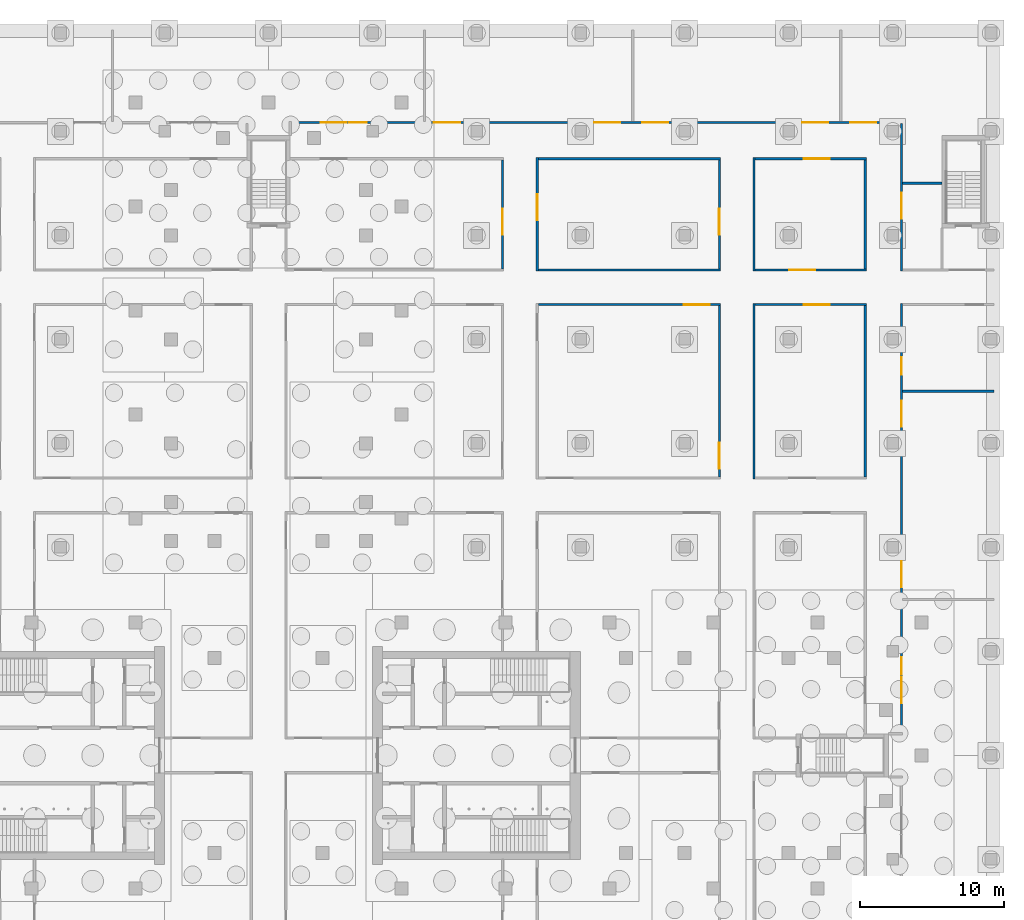
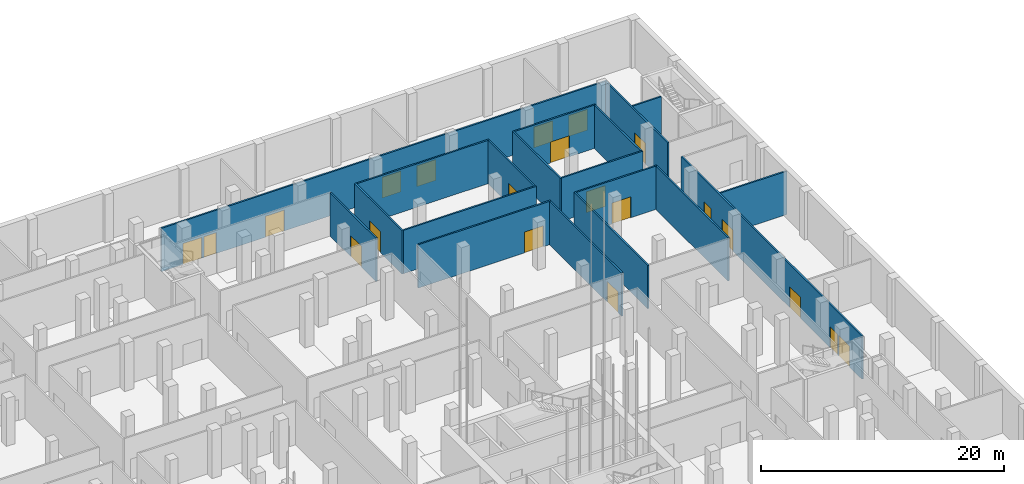
# One storey, part 20 of 54: 21 doors, 19 walls, 21 openings.
"""IFC4 building model written with IfcOpenShell, lengths in metres."""

from ifc_helpers import new_model, si_unit, direction, frame, frame_2d, origin, place, context, subcontext, project, spatial, rectangle, extrude, material, layer, layer_set, type_object, element, fill, save


model = new_model("IFC4")

# Units and contexts
model_context = context("Model", 3, precision=1e-05, world=origin(), true_north=direction((0.0, 1.0)))
body_context = subcontext(model_context, "Body", "Model", "MODEL_VIEW")
ifc_project = project(units=[si_unit("LENGTHUNIT", "METRE"), si_unit("AREAUNIT", "SQUARE_METRE"), si_unit("VOLUMEUNIT", "CUBIC_METRE"), si_unit("PLANEANGLEUNIT", "RADIAN"), si_unit("MASSUNIT", "GRAM", prefix="KILO")], contexts=[model_context])

# Site, building, storey
site_placement = place(None, origin())
site = spatial("IfcSite", under=ifc_project, at=site_placement, CompositionType="ELEMENT")
building_placement = place(site_placement, origin())
building = spatial("IfcBuilding", under=site, at=building_placement, Name="Fustian Cross Tower", CompositionType="ELEMENT")
storey_placement = place(building_placement, frame((0.0, 0.0, -4.800048828125)))
storey = spatial("IfcBuildingStorey", under=building, at=storey_placement, Name="B1", CompositionType="ELEMENT", Elevation=-4.800048828125)

# Wall, openings, doors
ifc_material_1 = material(Name="Plasterboard on steel stud", Category="steel")
ifc_layer = layer(ifc_material_1, 0.14990234375)
ifc_layer_set = layer_set([ifc_layer], Name="Plasterboard on steel stud")
wall_type = type_object("IfcWallType", Name="COMPARTMENT WALL 150 EI 60", PredefinedType="PARTITIONING", material=ifc_layer_set)
wall_1_placement = place(storey_placement, frame((1.574951171875, 43.800048828125, 0.0), z_axis=(0.0, 0.0, 1.0), x_axis=(1.0, 0.0, 0.0)))
wall_1 = element("IfcWall", 1, at=wall_1_placement, inside=storey, type_object=wall_type, Name="Partition 121", PredefinedType="PARTITIONING", context=body_context, shape_type="SweptSolid", body=[
    extrude(rectangle(XDim=42.300048828125, YDim=0.14990234375, at=frame_2d((21.14990234375, 0.0))), origin(), (0.0, 0.0, 1.0), 4.35009765625),
])
opening_1_placement = place(wall_1_placement, frame((2.02490234375, 0.0, 0.0)))
opening_1 = element("IfcOpeningElement", 2, at=opening_1_placement, cuts=wall_1, Name="Opening D01118", PredefinedType="OPENING", context=body_context, shape_type="SweptSolid", body=[
    extrude(rectangle(XDim=1.800048828125, YDim=2.10009765625, at=frame_2d((0.89990234375, 1.050048828125))), frame((0.0, 0.0849609375, 0.0), z_axis=(0.0, -1.0, 0.0), x_axis=(1.0, 0.0, 0.0)), (0.0, 0.0, 1.0), 0.169921875),
])
opening_2_placement = place(wall_1_placement, frame((4.02490234375, 0.0, 0.0)))
opening_2 = element("IfcOpeningElement", 3, at=opening_2_placement, cuts=wall_1, Name="Opening D01119", PredefinedType="OPENING", context=body_context, shape_type="SweptSolid", body=[
    extrude(rectangle(XDim=1.199951171875, YDim=2.10009765625, at=frame_2d((0.60009765625, 1.050048828125))), frame((0.0, 0.0849609375, 0.0), z_axis=(0.0, -1.0, 0.0), x_axis=(1.0, 0.0, 0.0)), (0.0, 0.0, 1.0), 0.169921875),
])
opening_3_placement = place(wall_1_placement, frame((9.875, 0.0, 0.0)))
opening_3 = element("IfcOpeningElement", 4, at=opening_3_placement, cuts=wall_1, Name="Opening D01120", PredefinedType="OPENING", context=body_context, shape_type="SweptSolid", body=[
    extrude(rectangle(XDim=1.800048828125, YDim=2.10009765625, at=frame_2d((0.89990234375, 1.050048828125))), frame((0.0, 0.0849609375, 0.0), z_axis=(0.0, -1.0, 0.0), x_axis=(1.0, 0.0, 0.0)), (0.0, 0.0, 1.0), 0.169921875),
])
opening_4_placement = place(wall_1_placement, frame((20.97509765625, 0.0, 0.0)))
opening_4 = element("IfcOpeningElement", 5, at=opening_4_placement, cuts=wall_1, Name="Opening D01121", PredefinedType="OPENING", context=body_context, shape_type="SweptSolid", body=[
    extrude(rectangle(XDim=1.800048828125, YDim=2.10009765625, at=frame_2d((0.89990234375, 1.050048828125))), frame((0.0, 0.0849609375, 0.0), z_axis=(0.0, -1.0, 0.0), x_axis=(1.0, 0.0, 0.0)), (0.0, 0.0, 1.0), 0.169921875),
])
opening_5_placement = place(wall_1_placement, frame((24.27490234375, 0.0, 0.0)))
opening_5 = element("IfcOpeningElement", 6, at=opening_5_placement, cuts=wall_1, Name="Opening D01122", PredefinedType="OPENING", context=body_context, shape_type="SweptSolid", body=[
    extrude(rectangle(XDim=1.800048828125, YDim=2.10009765625, at=frame_2d((0.89990234375, 1.050048828125))), frame((0.0, 0.0849609375, 0.0), z_axis=(0.0, -1.0, 0.0), x_axis=(1.0, 0.0, 0.0)), (0.0, 0.0, 1.0), 0.169921875),
])
opening_6_placement = place(wall_1_placement, frame((35.375, 0.0, 0.0)))
opening_6 = element("IfcOpeningElement", 7, at=opening_6_placement, cuts=wall_1, Name="Opening D01123", PredefinedType="OPENING", context=body_context, shape_type="SweptSolid", body=[
    extrude(rectangle(XDim=1.800048828125, YDim=2.10009765625, at=frame_2d((0.89990234375, 1.050048828125))), frame((0.0, 0.0849609375, 0.0), z_axis=(0.0, -1.0, 0.0), x_axis=(1.0, 0.0, 0.0)), (0.0, 0.0, 1.0), 0.169921875),
])
opening_7_placement = place(wall_1_placement, frame((38.675048828125, 0.0, 0.0)))
opening_7 = element("IfcOpeningElement", 8, at=opening_7_placement, cuts=wall_1, Name="Opening D01125", PredefinedType="OPENING", context=body_context, shape_type="SweptSolid", body=[
    extrude(rectangle(XDim=1.800048828125, YDim=2.10009765625, at=frame_2d((0.89990234375, 1.050048828125))), frame((0.0, 0.0849609375, 0.0), z_axis=(0.0, -1.0, 0.0), x_axis=(1.0, 0.0, 0.0)), (0.0, 0.0, 1.0), 0.169921875),
])
ifc_material_2 = material(Name="Timber fire door set", Category="wood")
door_type_1 = type_object("IfcDoorType", Name="FIRE DOUBLE DOOR 1800 FD30S", OperationType="DOUBLE_DOOR_DOUBLE_SWING", PredefinedType="DOOR", material=ifc_material_2)
door_1_placement = place(opening_1_placement, frame((1.800048828125, 0.0, 0.0), z_axis=(0.0, 0.0, 1.0), x_axis=(-1.0, 0.0, 0.0)))
door_1 = element("IfcDoor", 9, at=door_1_placement, inside=storey, type_object=door_type_1, Name="Door D01118", OperationType="DOUBLE_DOOR_DOUBLE_SWING", OverallHeight=2.10009765625, OverallWidth=1.800048828125, PredefinedType="DOOR", context=body_context, shape_type="SweptSolid", body=[
    extrude(rectangle(XDim=1.800048828125, YDim=2.10009765625, at=frame_2d((0.89990234375, 1.050048828125))), frame((0.0, 0.02490234375, 0.0), z_axis=(0.0, -1.0, 0.0), x_axis=(1.0, 0.0, 0.0)), (0.0, 0.0, 1.0), 0.050048828125),
])
fill(opening_1, door_1)
door_2_placement = place(opening_3_placement, frame((1.800048828125, 0.0, 0.0), z_axis=(0.0, 0.0, 1.0), x_axis=(-1.0, 0.0, 0.0)))
door_2 = element("IfcDoor", 10, at=door_2_placement, inside=storey, type_object=door_type_1, Name="Door D01120", OperationType="DOUBLE_DOOR_DOUBLE_SWING", OverallHeight=2.10009765625, OverallWidth=1.800048828125, PredefinedType="DOOR", context=body_context, shape_type="SweptSolid", body=[
    extrude(rectangle(XDim=1.800048828125, YDim=2.10009765625, at=frame_2d((0.89990234375, 1.050048828125))), frame((0.0, 0.02490234375, 0.0), z_axis=(0.0, -1.0, 0.0), x_axis=(1.0, 0.0, 0.0)), (0.0, 0.0, 1.0), 0.050048828125),
])
fill(opening_3, door_2)
door_3_placement = place(opening_4_placement, frame((1.800048828125, 0.0, 0.0), z_axis=(0.0, 0.0, 1.0), x_axis=(-1.0, 0.0, 0.0)))
door_3 = element("IfcDoor", 11, at=door_3_placement, inside=storey, type_object=door_type_1, Name="Door D01121", OperationType="DOUBLE_DOOR_DOUBLE_SWING", OverallHeight=2.10009765625, OverallWidth=1.800048828125, PredefinedType="DOOR", context=body_context, shape_type="SweptSolid", body=[
    extrude(rectangle(XDim=1.800048828125, YDim=2.10009765625, at=frame_2d((0.89990234375, 1.050048828125))), frame((0.0, 0.02490234375, 0.0), z_axis=(0.0, -1.0, 0.0), x_axis=(1.0, 0.0, 0.0)), (0.0, 0.0, 1.0), 0.050048828125),
])
fill(opening_4, door_3)
door_4_placement = place(opening_5_placement, frame((1.800048828125, 0.0, 0.0), z_axis=(0.0, 0.0, 1.0), x_axis=(-1.0, 0.0, 0.0)))
door_4 = element("IfcDoor", 12, at=door_4_placement, inside=storey, type_object=door_type_1, Name="Door D01122", OperationType="DOUBLE_DOOR_DOUBLE_SWING", OverallHeight=2.10009765625, OverallWidth=1.800048828125, PredefinedType="DOOR", context=body_context, shape_type="SweptSolid", body=[
    extrude(rectangle(XDim=1.800048828125, YDim=2.10009765625, at=frame_2d((0.89990234375, 1.050048828125))), frame((0.0, 0.02490234375, 0.0), z_axis=(0.0, -1.0, 0.0), x_axis=(1.0, 0.0, 0.0)), (0.0, 0.0, 1.0), 0.050048828125),
])
fill(opening_5, door_4)
door_5_placement = place(opening_6_placement, frame((1.800048828125, 0.0, 0.0), z_axis=(0.0, 0.0, 1.0), x_axis=(-1.0, 0.0, 0.0)))
door_5 = element("IfcDoor", 13, at=door_5_placement, inside=storey, type_object=door_type_1, Name="Door D01123", OperationType="DOUBLE_DOOR_DOUBLE_SWING", OverallHeight=2.10009765625, OverallWidth=1.800048828125, PredefinedType="DOOR", context=body_context, shape_type="SweptSolid", body=[
    extrude(rectangle(XDim=1.800048828125, YDim=2.10009765625, at=frame_2d((0.89990234375, 1.050048828125))), frame((0.0, 0.02490234375, 0.0), z_axis=(0.0, -1.0, 0.0), x_axis=(1.0, 0.0, 0.0)), (0.0, 0.0, 1.0), 0.050048828125),
])
fill(opening_6, door_5)
door_6_placement = place(opening_7_placement, frame((1.800048828125, 0.0, 0.0), z_axis=(0.0, 0.0, 1.0), x_axis=(-1.0, 0.0, 0.0)))
door_6 = element("IfcDoor", 14, at=door_6_placement, inside=storey, type_object=door_type_1, Name="Door D01125", OperationType="DOUBLE_DOOR_DOUBLE_SWING", OverallHeight=2.10009765625, OverallWidth=1.800048828125, PredefinedType="DOOR", context=body_context, shape_type="SweptSolid", body=[
    extrude(rectangle(XDim=1.800048828125, YDim=2.10009765625, at=frame_2d((0.89990234375, 1.050048828125))), frame((0.0, 0.02490234375, 0.0), z_axis=(0.0, -1.0, 0.0), x_axis=(1.0, 0.0, 0.0)), (0.0, 0.0, 1.0), 0.050048828125),
])
fill(opening_7, door_6)
ifc_material_3 = material(Name="Timber fire door set", Category="wood")
door_type_2 = type_object("IfcDoorType", Name="FIRE SWING DOOR 1200 FD30S", OperationType="SINGLE_SWING_LEFT", PredefinedType="DOOR", material=ifc_material_3)
door_7_placement = place(opening_2_placement, frame((1.199951171875, 0.0, 0.0), z_axis=(0.0, 0.0, 1.0), x_axis=(-1.0, 0.0, 0.0)))
door_7 = element("IfcDoor", 15, at=door_7_placement, inside=storey, type_object=door_type_2, Name="Door D01119", OperationType="SINGLE_SWING_RIGHT", OverallHeight=2.10009765625, OverallWidth=1.199951171875, PredefinedType="DOOR", context=body_context, shape_type="SweptSolid", body=[
    extrude(rectangle(XDim=1.199951171875, YDim=2.10009765625, at=frame_2d((0.60009765625, 1.050048828125))), frame((0.0, 0.02490234375, 0.0), z_axis=(0.0, -1.0, 0.0), x_axis=(1.0, 0.0, 0.0)), (0.0, 0.0, 1.0), 0.050048828125),
])
fill(opening_2, door_7)

# Wall, opening, door
wall_2_placement = place(storey_placement, frame((16.199951171875, 33.675048828125, 0.0), z_axis=(0.0, 0.0, 1.0), x_axis=(0.0, 1.0, 0.0)))
wall_2 = element("IfcWall", 16, at=wall_2_placement, inside=storey, type_object=wall_type, Name="Partition 129", PredefinedType="PARTITIONING", context=body_context, shape_type="SweptSolid", body=[
    extrude(rectangle(XDim=7.550048828125, YDim=0.14990234375, at=frame_2d((3.77490234375, 0.0))), origin(), (0.0, 0.0, 1.0), 4.35009765625),
])
opening_8_placement = place(wall_2_placement, frame((2.375, 0.0, 0.0)))
opening_8 = element("IfcOpeningElement", 17, at=opening_8_placement, cuts=wall_2, Name="Opening D01137", PredefinedType="OPENING", context=body_context, shape_type="SweptSolid", body=[
    extrude(rectangle(XDim=1.800048828125, YDim=2.10009765625, at=frame_2d((0.89990234375, 1.050048828125))), frame((0.0, 0.0849609375, 0.0), z_axis=(0.0, -1.0, 0.0), x_axis=(1.0, 0.0, 0.0)), (0.0, 0.0, 1.0), 0.169921875),
])
door_8_placement = place(opening_8_placement, frame((1.800048828125, 0.0, 0.0), z_axis=(0.0, 0.0, 1.0), x_axis=(-1.0, 0.0, 0.0)))
door_8 = element("IfcDoor", 18, at=door_8_placement, inside=storey, type_object=door_type_1, Name="Door D01137", OperationType="DOUBLE_DOOR_DOUBLE_SWING", OverallHeight=2.10009765625, OverallWidth=1.800048828125, PredefinedType="DOOR", context=body_context, shape_type="SweptSolid", body=[
    extrude(rectangle(XDim=1.800048828125, YDim=2.10009765625, at=frame_2d((0.89990234375, 1.050048828125))), frame((0.0, 0.02490234375, 0.0), z_axis=(0.0, -1.0, 0.0), x_axis=(1.0, 0.0, 0.0)), (0.0, 0.0, 1.0), 0.050048828125),
])
fill(opening_8, door_8)

wall_3_placement = place(storey_placement, frame((18.675048828125, 31.199951171875, 0.0), z_axis=(0.0, 0.0, 1.0), x_axis=(1.0, 0.0, 0.0)))
wall_3 = element("IfcWall", 19, at=wall_3_placement, inside=storey, type_object=wall_type, Name="Partition 142", PredefinedType="PARTITIONING", context=body_context, shape_type="SweptSolid", body=[
    extrude(rectangle(XDim=12.599853515625, YDim=0.14990234375, at=frame_2d((6.2998046875, 0.0))), origin(), (0.0, 0.0, 1.0), 4.35009765625),
])
opening_9_placement = place(wall_3_placement, frame((10.074951171875, 0.0, 0.0)))
opening_9 = element("IfcOpeningElement", 20, at=opening_9_placement, cuts=wall_3, Name="Opening D01063", PredefinedType="OPENING", context=body_context, shape_type="SweptSolid", body=[
    extrude(rectangle(XDim=1.800048828125, YDim=2.10009765625, at=frame_2d((0.89990234375, 1.050048828125))), frame((0.0, 0.0849609375, 0.0), z_axis=(0.0, -1.0, 0.0), x_axis=(1.0, 0.0, 0.0)), (0.0, 0.0, 1.0), 0.169921875),
])
ifc_material_4 = material(Name="Timber fire door set", Category="wood")
door_type_3 = type_object("IfcDoorType", Name="FIRE DOUBLE DOOR 1800 FD60S", OperationType="DOUBLE_DOOR_DOUBLE_SWING", PredefinedType="DOOR", material=ifc_material_4)
door_9_placement = place(opening_9_placement, origin())
door_9 = element("IfcDoor", 21, at=door_9_placement, inside=storey, type_object=door_type_3, Name="Door D01063", OperationType="DOUBLE_DOOR_DOUBLE_SWING", OverallHeight=2.10009765625, OverallWidth=1.800048828125, PredefinedType="DOOR", context=body_context, shape_type="SweptSolid", body=[
    extrude(rectangle(XDim=1.800048828125, YDim=2.10009765625, at=frame_2d((0.89990234375, 1.050048828125))), frame((0.0, 0.02490234375, 0.0), z_axis=(0.0, -1.0, 0.0), x_axis=(1.0, 0.0, 0.0)), (0.0, 0.0, 1.0), 0.050048828125),
])
fill(opening_9, door_9)

wall_4_placement = place(storey_placement, frame((18.60009765625, 33.52490234375, 0.0), z_axis=(0.0, 0.0, 1.0), x_axis=(0.0, 1.0, 0.0)))
wall_4 = element("IfcWall", 22, at=wall_4_placement, inside=storey, type_object=wall_type, Name="Partition 143", PredefinedType="PARTITIONING", context=body_context, shape_type="SweptSolid", body=[
    extrude(rectangle(XDim=7.85009765625, YDim=0.14990234375, at=frame_2d((3.925048828125, 0.0))), origin(), (0.0, 0.0, 1.0), 4.35009765625),
])
opening_10_placement = place(wall_4_placement, frame((3.52490234375, 0.0, 0.0)))
opening_10 = element("IfcOpeningElement", 23, at=opening_10_placement, cuts=wall_4, Name="Opening D01138", PredefinedType="OPENING", context=body_context, shape_type="SweptSolid", body=[
    extrude(rectangle(XDim=1.800048828125, YDim=2.10009765625, at=frame_2d((0.89990234375, 1.050048828125))), frame((0.0, 0.0849609375, 0.0), z_axis=(0.0, -1.0, 0.0), x_axis=(1.0, 0.0, 0.0)), (0.0, 0.0, 1.0), 0.169921875),
])
door_10_placement = place(opening_10_placement, origin())
door_10 = element("IfcDoor", 24, at=door_10_placement, inside=storey, type_object=door_type_1, Name="Door D01138", OperationType="DOUBLE_DOOR_DOUBLE_SWING", OverallHeight=2.10009765625, OverallWidth=1.800048828125, PredefinedType="DOOR", context=body_context, shape_type="SweptSolid", body=[
    extrude(rectangle(XDim=1.800048828125, YDim=2.10009765625, at=frame_2d((0.89990234375, 1.050048828125))), frame((0.0, 0.02490234375, 0.0), z_axis=(0.0, -1.0, 0.0), x_axis=(1.0, 0.0, 0.0)), (0.0, 0.0, 1.0), 0.050048828125),
])
fill(opening_10, door_10)

# Walls
for number, where, z_axis, x_axis, name in (
    (25, (18.675048828125, 33.60009765625, 0.0), (0.0, 0.0, 1.0), (1.0, 0.0, 0.0), "Partition 144"),
    (26, (18.675048828125, 41.300048828125, 0.0), (0.0, 0.0, 1.0), (1.0, 0.0, 0.0), "Partition 145"),
):
    element("IfcWall", number, at=place(storey_placement, frame(where, z_axis=z_axis, x_axis=x_axis)), inside=storey, type_object=wall_type, Name=name, PredefinedType="PARTITIONING", context=body_context, shape_type="SweptSolid", body=[
        extrude(rectangle(XDim=12.599853515625, YDim=0.14990234375, at=frame_2d((6.2998046875, 0.0))), origin(), (0.0, 0.0, 1.0), 4.35009765625),
    ])

# Wall, opening, door
wall_5_placement = place(storey_placement, frame((31.199951171875, 19.27490234375, 0.0), z_axis=(0.0, 0.0, 1.0), x_axis=(0.0, 1.0, 0.0)))
wall_5 = element("IfcWall", 27, at=wall_5_placement, inside=storey, type_object=wall_type, Name="Partition 153", PredefinedType="PARTITIONING", context=body_context, shape_type="SweptSolid", body=[
    extrude(rectangle(XDim=11.85009765625, YDim=0.14990234375, at=frame_2d((5.925048828125, 0.0))), origin(), (0.0, 0.0, 1.0), 4.35009765625),
])
opening_11_placement = place(wall_5_placement, frame((0.574951171875, 0.0, 0.0)))
opening_11 = element("IfcOpeningElement", 28, at=opening_11_placement, cuts=wall_5, Name="Opening D01064", PredefinedType="OPENING", context=body_context, shape_type="SweptSolid", body=[
    extrude(rectangle(XDim=1.800048828125, YDim=2.10009765625, at=frame_2d((0.89990234375, 1.050048828125))), frame((0.0, 0.0849609375, 0.0), z_axis=(0.0, -1.0, 0.0), x_axis=(1.0, 0.0, 0.0)), (0.0, 0.0, 1.0), 0.169921875),
])
door_11_placement = place(opening_11_placement, frame((1.800048828125, 0.0, 0.0), z_axis=(0.0, 0.0, 1.0), x_axis=(-1.0, 0.0, 0.0)))
door_11 = element("IfcDoor", 29, at=door_11_placement, inside=storey, type_object=door_type_3, Name="Door D01064", OperationType="DOUBLE_DOOR_DOUBLE_SWING", OverallHeight=2.10009765625, OverallWidth=1.800048828125, PredefinedType="DOOR", context=body_context, shape_type="SweptSolid", body=[
    extrude(rectangle(XDim=1.800048828125, YDim=2.10009765625, at=frame_2d((0.89990234375, 1.050048828125))), frame((0.0, 0.02490234375, 0.0), z_axis=(0.0, -1.0, 0.0), x_axis=(1.0, 0.0, 0.0)), (0.0, 0.0, 1.0), 0.050048828125),
])
fill(opening_11, door_11)

wall_6_placement = place(storey_placement, frame((31.199951171875, 33.675048828125, 0.0), z_axis=(0.0, 0.0, 1.0), x_axis=(0.0, 1.0, 0.0)))
wall_6 = element("IfcWall", 30, at=wall_6_placement, inside=storey, type_object=wall_type, Name="Partition 154", PredefinedType="PARTITIONING", context=body_context, shape_type="SweptSolid", body=[
    extrude(rectangle(XDim=7.550048828125, YDim=0.14990234375, at=frame_2d((3.77490234375, 0.0))), origin(), (0.0, 0.0, 1.0), 4.35009765625),
])
opening_12_placement = place(wall_6_placement, frame((2.375, 0.0, 0.0)))
opening_12 = element("IfcOpeningElement", 31, at=opening_12_placement, cuts=wall_6, Name="Opening D01139", PredefinedType="OPENING", context=body_context, shape_type="SweptSolid", body=[
    extrude(rectangle(XDim=1.800048828125, YDim=2.10009765625, at=frame_2d((0.89990234375, 1.050048828125))), frame((0.0, 0.0849609375, 0.0), z_axis=(0.0, -1.0, 0.0), x_axis=(1.0, 0.0, 0.0)), (0.0, 0.0, 1.0), 0.169921875),
])
door_12_placement = place(opening_12_placement, frame((1.800048828125, 0.0, 0.0), z_axis=(0.0, 0.0, 1.0), x_axis=(-1.0, 0.0, 0.0)))
door_12 = element("IfcDoor", 32, at=door_12_placement, inside=storey, type_object=door_type_1, Name="Door D01139", OperationType="DOUBLE_DOOR_DOUBLE_SWING", OverallHeight=2.10009765625, OverallWidth=1.800048828125, PredefinedType="DOOR", context=body_context, shape_type="SweptSolid", body=[
    extrude(rectangle(XDim=1.800048828125, YDim=2.10009765625, at=frame_2d((0.89990234375, 1.050048828125))), frame((0.0, 0.02490234375, 0.0), z_axis=(0.0, -1.0, 0.0), x_axis=(1.0, 0.0, 0.0)), (0.0, 0.0, 1.0), 0.050048828125),
])
fill(opening_12, door_12)

# Wall
wall_7_placement = place(storey_placement, frame((33.60009765625, 19.125, 0.0), z_axis=(0.0, 0.0, 1.0), x_axis=(0.0, 1.0, 0.0)))
element("IfcWall", 33, at=wall_7_placement, inside=storey, type_object=wall_type, Name="Partition 167", PredefinedType="PARTITIONING", context=body_context, shape_type="SweptSolid", body=[
    extrude(rectangle(XDim=12.14990234375, YDim=0.14990234375, at=frame_2d((6.074951171875, 0.0))), origin(), (0.0, 0.0, 1.0), 4.35009765625),
])

# Wall, opening, door
wall_8_placement = place(storey_placement, frame((33.675048828125, 31.199951171875, 0.0), z_axis=(0.0, 0.0, 1.0), x_axis=(1.0, 0.0, 0.0)))
wall_8 = element("IfcWall", 34, at=wall_8_placement, inside=storey, type_object=wall_type, Name="Partition 169", PredefinedType="PARTITIONING", context=body_context, shape_type="SweptSolid", body=[
    extrude(rectangle(XDim=7.699951171875, YDim=0.14990234375, at=frame_2d((3.85009765625, 0.0))), origin(), (0.0, 0.0, 1.0), 4.35009765625),
])
opening_13_placement = place(wall_8_placement, frame((3.375, 0.0, 0.0)))
opening_13 = element("IfcOpeningElement", 35, at=opening_13_placement, cuts=wall_8, Name="Opening D01150", PredefinedType="OPENING", context=body_context, shape_type="SweptSolid", body=[
    extrude(rectangle(XDim=1.800048828125, YDim=2.10009765625, at=frame_2d((0.89990234375, 1.050048828125))), frame((0.0, 0.0849609375, 0.0), z_axis=(0.0, -1.0, 0.0), x_axis=(1.0, 0.0, 0.0)), (0.0, 0.0, 1.0), 0.169921875),
])
door_13_placement = place(opening_13_placement, origin())
door_13 = element("IfcDoor", 36, at=door_13_placement, inside=storey, type_object=door_type_1, Name="Door D01150", OperationType="DOUBLE_DOOR_DOUBLE_SWING", OverallHeight=2.10009765625, OverallWidth=1.800048828125, PredefinedType="DOOR", context=body_context, shape_type="SweptSolid", body=[
    extrude(rectangle(XDim=1.800048828125, YDim=2.10009765625, at=frame_2d((0.89990234375, 1.050048828125))), frame((0.0, 0.02490234375, 0.0), z_axis=(0.0, -1.0, 0.0), x_axis=(1.0, 0.0, 0.0)), (0.0, 0.0, 1.0), 0.050048828125),
])
fill(opening_13, door_13)

# Wall
wall_9_placement = place(storey_placement, frame((33.60009765625, 33.52490234375, 0.0), z_axis=(0.0, 0.0, 1.0), x_axis=(0.0, 1.0, 0.0)))
element("IfcWall", 37, at=wall_9_placement, inside=storey, type_object=wall_type, Name="Partition 170", PredefinedType="PARTITIONING", context=body_context, shape_type="SweptSolid", body=[
    extrude(rectangle(XDim=7.85009765625, YDim=0.14990234375, at=frame_2d((3.925048828125, 0.0))), origin(), (0.0, 0.0, 1.0), 4.35009765625),
])

# Wall, opening, door
wall_10_placement = place(storey_placement, frame((33.675048828125, 33.60009765625, 0.0), z_axis=(0.0, 0.0, 1.0), x_axis=(1.0, 0.0, 0.0)))
wall_10 = element("IfcWall", 38, at=wall_10_placement, inside=storey, type_object=wall_type, Name="Partition 171", PredefinedType="PARTITIONING", context=body_context, shape_type="SweptSolid", body=[
    extrude(rectangle(XDim=7.699951171875, YDim=0.14990234375, at=frame_2d((3.85009765625, 0.0))), origin(), (0.0, 0.0, 1.0), 4.35009765625),
])
opening_14_placement = place(wall_10_placement, frame((2.375, 0.0, 0.0)))
opening_14 = element("IfcOpeningElement", 39, at=opening_14_placement, cuts=wall_10, Name="Opening D01140", PredefinedType="OPENING", context=body_context, shape_type="SweptSolid", body=[
    extrude(rectangle(XDim=1.800048828125, YDim=2.10009765625, at=frame_2d((0.89990234375, 1.050048828125))), frame((0.0, 0.0849609375, 0.0), z_axis=(0.0, -1.0, 0.0), x_axis=(1.0, 0.0, 0.0)), (0.0, 0.0, 1.0), 0.169921875),
])
door_14_placement = place(opening_14_placement, frame((1.800048828125, 0.0, 0.0), z_axis=(0.0, 0.0, 1.0), x_axis=(-1.0, 0.0, 0.0)))
door_14 = element("IfcDoor", 40, at=door_14_placement, inside=storey, type_object=door_type_1, Name="Door D01140", OperationType="DOUBLE_DOOR_DOUBLE_SWING", OverallHeight=2.10009765625, OverallWidth=1.800048828125, PredefinedType="DOOR", context=body_context, shape_type="SweptSolid", body=[
    extrude(rectangle(XDim=1.800048828125, YDim=2.10009765625, at=frame_2d((0.89990234375, 1.050048828125))), frame((0.0, 0.02490234375, 0.0), z_axis=(0.0, -1.0, 0.0), x_axis=(1.0, 0.0, 0.0)), (0.0, 0.0, 1.0), 0.050048828125),
])
fill(opening_14, door_14)

wall_11_placement = place(storey_placement, frame((33.675048828125, 41.300048828125, 0.0), z_axis=(0.0, 0.0, 1.0), x_axis=(1.0, 0.0, 0.0)))
wall_11 = element("IfcWall", 41, at=wall_11_placement, inside=storey, type_object=wall_type, Name="Partition 172", PredefinedType="PARTITIONING", context=body_context, shape_type="SweptSolid", body=[
    extrude(rectangle(XDim=7.699951171875, YDim=0.14990234375, at=frame_2d((3.85009765625, 0.0))), origin(), (0.0, 0.0, 1.0), 4.35009765625),
])
opening_15_placement = place(wall_11_placement, frame((3.375, 0.0, 0.0)))
opening_15 = element("IfcOpeningElement", 42, at=opening_15_placement, cuts=wall_11, Name="Opening D01141", PredefinedType="OPENING", context=body_context, shape_type="SweptSolid", body=[
    extrude(rectangle(XDim=1.800048828125, YDim=2.10009765625, at=frame_2d((0.89990234375, 1.050048828125))), frame((0.0, 0.0849609375, 0.0), z_axis=(0.0, -1.0, 0.0), x_axis=(1.0, 0.0, 0.0)), (0.0, 0.0, 1.0), 0.169921875),
])
door_15_placement = place(opening_15_placement, origin())
door_15 = element("IfcDoor", 43, at=door_15_placement, inside=storey, type_object=door_type_1, Name="Door D01141", OperationType="DOUBLE_DOOR_DOUBLE_SWING", OverallHeight=2.10009765625, OverallWidth=1.800048828125, PredefinedType="DOOR", context=body_context, shape_type="SweptSolid", body=[
    extrude(rectangle(XDim=1.800048828125, YDim=2.10009765625, at=frame_2d((0.89990234375, 1.050048828125))), frame((0.0, 0.02490234375, 0.0), z_axis=(0.0, -1.0, 0.0), x_axis=(1.0, 0.0, 0.0)), (0.0, 0.0, 1.0), 0.050048828125),
])
fill(opening_15, door_15)

# Walls
wall_12_placement = place(storey_placement, frame((41.300048828125, 19.27490234375, 0.0), z_axis=(0.0, 0.0, 1.0), x_axis=(0.0, 1.0, 0.0)))
element("IfcWall", 44, at=wall_12_placement, inside=storey, type_object=wall_type, Name="Partition 179", PredefinedType="PARTITIONING", context=body_context, shape_type="SweptSolid", body=[
    extrude(rectangle(XDim=11.85009765625, YDim=0.14990234375, at=frame_2d((5.925048828125, 0.0))), origin(), (0.0, 0.0, 1.0), 4.35009765625),
])
wall_13_placement = place(storey_placement, frame((41.300048828125, 33.675048828125, 0.0), z_axis=(0.0, 0.0, 1.0), x_axis=(0.0, 1.0, 0.0)))
element("IfcWall", 45, at=wall_13_placement, inside=storey, type_object=wall_type, Name="Partition 180", PredefinedType="PARTITIONING", context=body_context, shape_type="SweptSolid", body=[
    extrude(rectangle(XDim=7.550048828125, YDim=0.14990234375, at=frame_2d((3.77490234375, 0.0))), origin(), (0.0, 0.0, 1.0), 4.35009765625),
])

# Wall, openings, doors
wall_14_placement = place(storey_placement, frame((43.800048828125, 1.574951171875, 0.0), z_axis=(0.0, 0.0, 1.0), x_axis=(0.0, 1.0, 0.0)))
wall_14 = element("IfcWall", 46, at=wall_14_placement, inside=storey, type_object=wall_type, Name="Partition 190", PredefinedType="PARTITIONING", context=body_context, shape_type="SweptSolid", body=[
    extrude(rectangle(XDim=29.699951171875, YDim=0.14990234375, at=frame_2d((14.85009765625, 0.0))), origin(), (0.0, 0.0, 1.0), 4.35009765625),
])
opening_16_placement = place(wall_14_placement, frame((24.77490234375, 0.0, 0.0)))
opening_16 = element("IfcOpeningElement", 47, at=opening_16_placement, cuts=wall_14, Name="Opening D01145", PredefinedType="OPENING", context=body_context, shape_type="SweptSolid", body=[
    extrude(rectangle(XDim=1.199951171875, YDim=2.10009765625, at=frame_2d((0.60009765625, 1.050048828125))), frame((0.0, 0.0849609375, 0.0), z_axis=(0.0, -1.0, 0.0), x_axis=(1.0, 0.0, 0.0)), (0.0, 0.0, 1.0), 0.169921875),
])
opening_17_placement = place(wall_14_placement, frame((10.074951171875, 0.0, 0.0)))
opening_17 = element("IfcOpeningElement", 48, at=opening_17_placement, cuts=wall_14, Name="Opening D01153", PredefinedType="OPENING", context=body_context, shape_type="SweptSolid", body=[
    extrude(rectangle(XDim=1.800048828125, YDim=2.10009765625, at=frame_2d((0.89990234375, 1.050048828125))), frame((0.0, 0.0849609375, 0.0), z_axis=(0.0, -1.0, 0.0), x_axis=(1.0, 0.0, 0.0)), (0.0, 0.0, 1.0), 0.169921875),
])
opening_18_placement = place(wall_14_placement, frame((21.175048828125, 0.0, 0.0)))
opening_18 = element("IfcOpeningElement", 49, at=opening_18_placement, cuts=wall_14, Name="Opening D01154", PredefinedType="OPENING", context=body_context, shape_type="SweptSolid", body=[
    extrude(rectangle(XDim=1.800048828125, YDim=2.10009765625, at=frame_2d((0.89990234375, 1.050048828125))), frame((0.0, 0.0849609375, 0.0), z_axis=(0.0, -1.0, 0.0), x_axis=(1.0, 0.0, 0.0)), (0.0, 0.0, 1.0), 0.169921875),
])
opening_19_placement = place(wall_14_placement, frame((2.02490234375, 0.0, 0.0)))
opening_19 = element("IfcOpeningElement", 50, at=opening_19_placement, cuts=wall_14, Name="Opening D01167", PredefinedType="OPENING", context=body_context, shape_type="SweptSolid", body=[
    extrude(rectangle(XDim=1.800048828125, YDim=2.10009765625, at=frame_2d((0.89990234375, 1.050048828125))), frame((0.0, 0.0849609375, 0.0), z_axis=(0.0, -1.0, 0.0), x_axis=(1.0, 0.0, 0.0)), (0.0, 0.0, 1.0), 0.169921875),
])
opening_20_placement = place(wall_14_placement, frame((4.02490234375, 0.0, 0.0)))
opening_20 = element("IfcOpeningElement", 51, at=opening_20_placement, cuts=wall_14, Name="Opening D01168", PredefinedType="OPENING", context=body_context, shape_type="SweptSolid", body=[
    extrude(rectangle(XDim=1.199951171875, YDim=2.10009765625, at=frame_2d((0.60009765625, 1.050048828125))), frame((0.0, 0.0849609375, 0.0), z_axis=(0.0, -1.0, 0.0), x_axis=(1.0, 0.0, 0.0)), (0.0, 0.0, 1.0), 0.169921875),
])
door_16_placement = place(opening_17_placement, origin())
door_16 = element("IfcDoor", 52, at=door_16_placement, inside=storey, type_object=door_type_1, Name="Door D01153", OperationType="DOUBLE_DOOR_DOUBLE_SWING", OverallHeight=2.10009765625, OverallWidth=1.800048828125, PredefinedType="DOOR", context=body_context, shape_type="SweptSolid", body=[
    extrude(rectangle(XDim=1.800048828125, YDim=2.10009765625, at=frame_2d((0.89990234375, 1.050048828125))), frame((0.0, 0.02490234375, 0.0), z_axis=(0.0, -1.0, 0.0), x_axis=(1.0, 0.0, 0.0)), (0.0, 0.0, 1.0), 0.050048828125),
])
fill(opening_17, door_16)
door_17_placement = place(opening_18_placement, origin())
door_17 = element("IfcDoor", 53, at=door_17_placement, inside=storey, type_object=door_type_1, Name="Door D01154", OperationType="DOUBLE_DOOR_DOUBLE_SWING", OverallHeight=2.10009765625, OverallWidth=1.800048828125, PredefinedType="DOOR", context=body_context, shape_type="SweptSolid", body=[
    extrude(rectangle(XDim=1.800048828125, YDim=2.10009765625, at=frame_2d((0.89990234375, 1.050048828125))), frame((0.0, 0.02490234375, 0.0), z_axis=(0.0, -1.0, 0.0), x_axis=(1.0, 0.0, 0.0)), (0.0, 0.0, 1.0), 0.050048828125),
])
fill(opening_18, door_17)
door_18_placement = place(opening_19_placement, origin())
door_18 = element("IfcDoor", 54, at=door_18_placement, inside=storey, type_object=door_type_1, Name="Door D01167", OperationType="DOUBLE_DOOR_DOUBLE_SWING", OverallHeight=2.10009765625, OverallWidth=1.800048828125, PredefinedType="DOOR", context=body_context, shape_type="SweptSolid", body=[
    extrude(rectangle(XDim=1.800048828125, YDim=2.10009765625, at=frame_2d((0.89990234375, 1.050048828125))), frame((0.0, 0.02490234375, 0.0), z_axis=(0.0, -1.0, 0.0), x_axis=(1.0, 0.0, 0.0)), (0.0, 0.0, 1.0), 0.050048828125),
])
fill(opening_19, door_18)
door_19_placement = place(opening_16_placement, frame((1.199951171875, 0.0, 0.0), z_axis=(0.0, 0.0, 1.0), x_axis=(-1.0, 0.0, 0.0)))
door_19 = element("IfcDoor", 55, at=door_19_placement, inside=storey, type_object=door_type_2, Name="Door D01145", OperationType="SINGLE_SWING_RIGHT", OverallHeight=2.10009765625, OverallWidth=1.199951171875, PredefinedType="DOOR", context=body_context, shape_type="SweptSolid", body=[
    extrude(rectangle(XDim=1.199951171875, YDim=2.10009765625, at=frame_2d((0.60009765625, 1.050048828125))), frame((0.0, 0.02490234375, 0.0), z_axis=(0.0, -1.0, 0.0), x_axis=(1.0, 0.0, 0.0)), (0.0, 0.0, 1.0), 0.050048828125),
])
fill(opening_16, door_19)
door_20_placement = place(opening_20_placement, origin())
door_20 = element("IfcDoor", 56, at=door_20_placement, inside=storey, type_object=door_type_2, Name="Door D01168", OperationType="SINGLE_SWING_LEFT", OverallHeight=2.10009765625, OverallWidth=1.199951171875, PredefinedType="DOOR", context=body_context, shape_type="SweptSolid", body=[
    extrude(rectangle(XDim=1.199951171875, YDim=2.10009765625, at=frame_2d((0.60009765625, 1.050048828125))), frame((0.0, 0.02490234375, 0.0), z_axis=(0.0, -1.0, 0.0), x_axis=(1.0, 0.0, 0.0)), (0.0, 0.0, 1.0), 0.050048828125),
])
fill(opening_20, door_20)

# Wall
wall_15_placement = place(storey_placement, frame((43.875, 25.199951171875, 0.0), z_axis=(0.0, 0.0, 1.0), x_axis=(1.0, 0.0, 0.0)))
element("IfcWall", 57, at=wall_15_placement, inside=storey, type_object=wall_type, Name="Partition 192", PredefinedType="PARTITIONING", context=body_context, shape_type="SweptSolid", body=[
    extrude(rectangle(XDim=6.344970703125, YDim=0.14990234375, at=frame_2d((3.17236328125, 0.0))), origin(), (0.0, 0.0, 1.0), 4.35009765625),
])

# Wall, opening, door
wall_16_placement = place(storey_placement, frame((43.800048828125, 33.52490234375, 0.0), z_axis=(0.0, 0.0, 1.0), x_axis=(0.0, 1.0, 0.0)))
wall_16 = element("IfcWall", 58, at=wall_16_placement, inside=storey, type_object=wall_type, Name="Partition 194", PredefinedType="PARTITIONING", context=body_context, shape_type="SweptSolid", body=[
    extrude(rectangle(XDim=10.2001953125, YDim=0.14990234375, at=frame_2d((5.10009765625, 0.0))), origin(), (0.0, 0.0, 1.0), 4.35009765625),
])
opening_21_placement = place(wall_16_placement, frame((3.625, 0.0, 0.0)))
opening_21 = element("IfcOpeningElement", 59, at=opening_21_placement, cuts=wall_16, Name="Opening D01142", PredefinedType="OPENING", context=body_context, shape_type="SweptSolid", body=[
    extrude(rectangle(XDim=1.800048828125, YDim=2.10009765625, at=frame_2d((0.89990234375, 1.050048828125))), frame((0.0, 0.0849609375, 0.0), z_axis=(0.0, -1.0, 0.0), x_axis=(1.0, 0.0, 0.0)), (0.0, 0.0, 1.0), 0.169921875),
])
door_21_placement = place(opening_21_placement, origin())
door_21 = element("IfcDoor", 60, at=door_21_placement, inside=storey, type_object=door_type_1, Name="Door D01142", OperationType="DOUBLE_DOOR_DOUBLE_SWING", OverallHeight=2.10009765625, OverallWidth=1.800048828125, PredefinedType="DOOR", context=body_context, shape_type="SweptSolid", body=[
    extrude(rectangle(XDim=1.800048828125, YDim=2.10009765625, at=frame_2d((0.89990234375, 1.050048828125))), frame((0.0, 0.02490234375, 0.0), z_axis=(0.0, -1.0, 0.0), x_axis=(1.0, 0.0, 0.0)), (0.0, 0.0, 1.0), 0.050048828125),
])
fill(opening_21, door_21)

# Wall
wall_17_placement = place(storey_placement, frame((43.875, 39.60009765625, 0.0), z_axis=(0.0, 0.0, 1.0), x_axis=(1.0, 0.0, 0.0)))
element("IfcWall", 61, at=wall_17_placement, inside=storey, type_object=wall_type, Name="Partition 196", PredefinedType="PARTITIONING", context=body_context, shape_type="SweptSolid", body=[
    extrude(rectangle(XDim=2.72509765625, YDim=0.14990234375, at=frame_2d((1.362548828125, 0.0))), origin(), (0.0, 0.0, 1.0), 4.35009765625),
])

save(model, "model.ifc")
